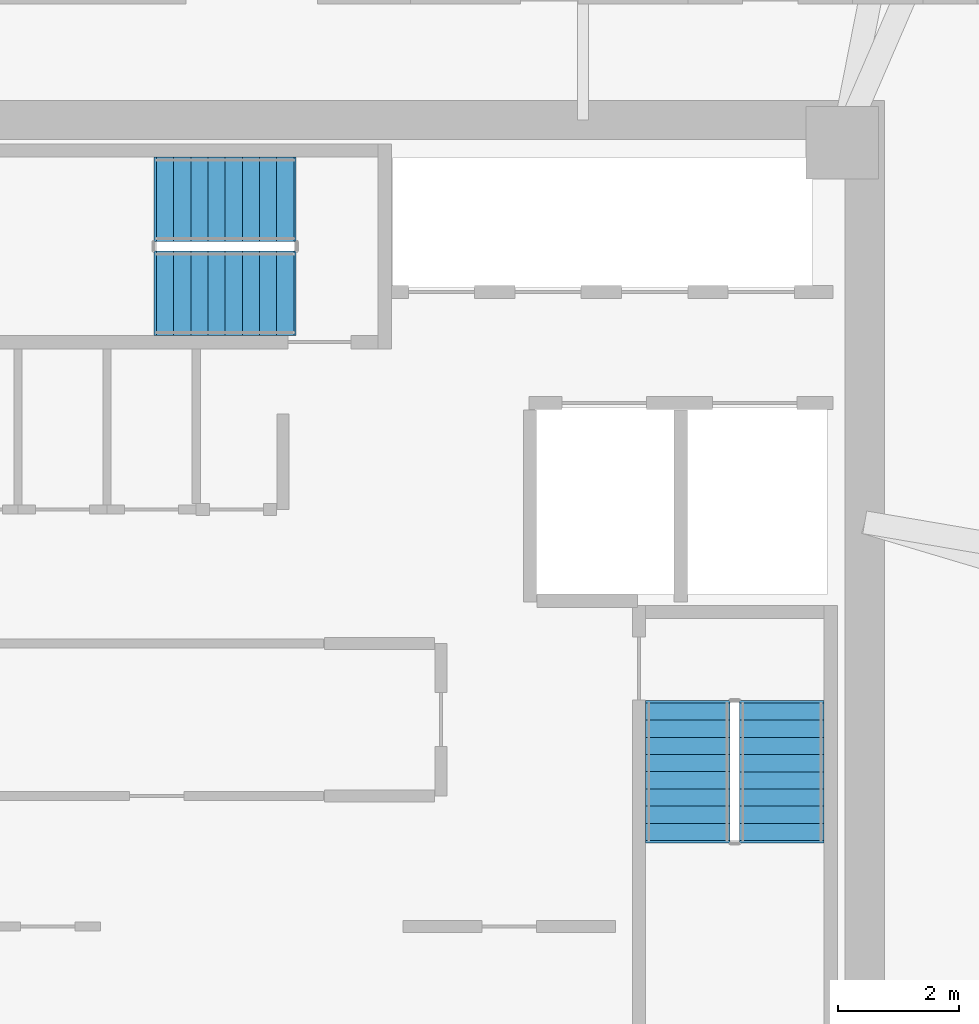
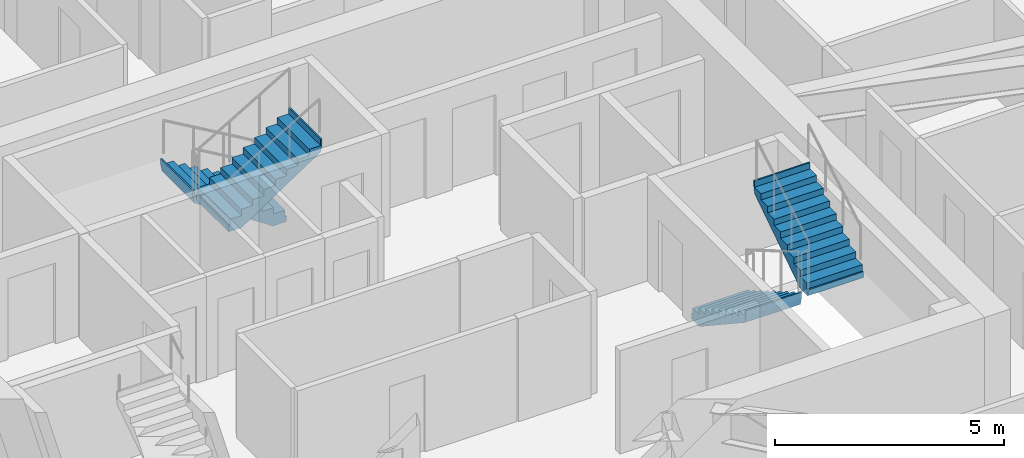
# One storey, part 14 of 15: 4 stair flights, 2 elements without a shape of their own.
"""IFC4 building model written with IfcOpenShell, lengths in metres."""

from ifc_helpers import new_model, si_unit, direction, frame, origin, place, context, subcontext, project, spatial, polyline, outline, extrude, material, type_object, element, aggregate, save


model = new_model("IFC4")

# Units and contexts
model_context = context("Model", 3, precision=1e-05, world=origin(), true_north=direction((0.0, 1.0)))
body_context = subcontext(model_context, "Body", "Model", "MODEL_VIEW")
ifc_project = project(units=[si_unit("LENGTHUNIT", "METRE"), si_unit("AREAUNIT", "SQUARE_METRE"), si_unit("VOLUMEUNIT", "CUBIC_METRE"), si_unit("PLANEANGLEUNIT", "RADIAN"), si_unit("MASSUNIT", "GRAM", prefix="KILO")], contexts=[model_context])

# Site, building, storey
site_placement = place(None, origin())
site = spatial("IfcSite", under=ifc_project, at=site_placement, CompositionType="ELEMENT")
building_placement = place(site_placement, origin())
building = spatial("IfcBuilding", under=site, at=building_placement, Name="Durnholm Broadcast Tower", CompositionType="ELEMENT")
storey_placement = place(building_placement, frame((0.0, 0.0, 206.199951171875)))
storey = spatial("IfcBuildingStorey", under=building, at=storey_placement, Name="L57", CompositionType="ELEMENT", Elevation=206.199951171875)

# Stair, stair flights
ifc_material = material(Name="Concrete C50/60", Category="concrete")
stair_type = type_object("IfcStairType", Name="STAIR-DL-18R1667", PredefinedType="HALF_TURN_STAIR", material=ifc_material)
stair_1_placement = place(storey_placement, origin())
stair_1 = element("IfcStair", 1, at=stair_1_placement, inside=storey, type_object=stair_type, Name="L57 ST-2", PredefinedType="HALF_TURN_STAIR")
stair_flight_type = type_object("IfcStairFlightType", Name="FLIGHT-DL-18R1667", PredefinedType="STRAIGHT", material=ifc_material)
stair_flight_1_placement = place(storey_placement, frame((7.239990234375, -1.5, 0.0), z_axis=(0.0, 0.0, 1.0), x_axis=(0.0, -1.0, 0.0)))
stair_flight_1 = element("IfcStairFlight", 2, at=stair_flight_1_placement, type_object=stair_flight_type, Name="ST-2 flight 1", NumberOfRisers=9, NumberOfTreads=8, PredefinedType="STRAIGHT", RiserHeight=0.166666667, TreadLength=0.285, context=body_context, shape_type="SweptSolid", body=[
    extrude(outline(polyline([(-0.0400390625, -0.14990234375), (-0.0400390625, 0.0), (0.0, 0.0), (0.0, 0.166748046875), (0.284912109375, 0.166748046875), (0.284912109375, 0.333251953125), (0.570068359375, 0.333251953125), (0.570068359375, 0.5), (0.85498046875, 0.5), (0.85498046875, 0.666748046875), (1.139892578125, 0.666748046875), (1.139892578125, 0.833251953125), (1.425048828125, 0.833251953125), (1.425048828125, 1.0), (1.7099609375, 1.0), (1.7099609375, 1.166748046875), (1.9951171875, 1.166748046875), (1.9951171875, 1.333251953125), (2.280029296875, 1.333251953125), (2.280029296875, 1.5), (2.320068359375, 1.5), (2.320068359375, 1.35009765625), (2.280029296875, 1.15966796875), (0.296875, -0.14990234375), (-0.0400390625, -0.14990234375)])), frame((0.0, 0.699951171875, 0.0), z_axis=(0.0, -1.0, 0.0), x_axis=(1.0, 0.0, 0.0)), (0.0, 0.0, 1.0), 1.39990234375),
])
stair_flight_2_placement = place(storey_placement, frame((8.800048828125, -3.780029296875, 1.5), z_axis=(0.0, 0.0, 1.0), x_axis=(0.0, 1.0, 0.0)))
stair_flight_2 = element("IfcStairFlight", 3, at=stair_flight_2_placement, type_object=stair_flight_type, Name="ST-2 flight 2", NumberOfRisers=9, NumberOfTreads=8, PredefinedType="STRAIGHT", RiserHeight=0.166666667, TreadLength=0.285, context=body_context, shape_type="SweptSolid", body=[
    extrude(outline(polyline([(-0.0400390625, -0.14990234375), (-0.0400390625, 0.0), (0.0, 0.0), (0.0, 0.166748046875), (0.284912109375, 0.166748046875), (0.284912109375, 0.333251953125), (0.570068359375, 0.333251953125), (0.570068359375, 0.5), (0.85498046875, 0.5), (0.85498046875, 0.666748046875), (1.139892578125, 0.666748046875), (1.139892578125, 0.833251953125), (1.425048828125, 0.833251953125), (1.425048828125, 1.0), (1.7099609375, 1.0), (1.7099609375, 1.166748046875), (1.9951171875, 1.166748046875), (1.9951171875, 1.333251953125), (2.280029296875, 1.333251953125), (2.280029296875, 1.5), (2.320068359375, 1.5), (2.320068359375, 1.35009765625), (2.280029296875, 1.15966796875), (0.296875, -0.14990234375), (-0.0400390625, -0.14990234375)])), frame((0.0, 0.699951171875, 0.0), z_axis=(0.0, -1.0, 0.0), x_axis=(1.0, 0.0, 0.0)), (0.0, 0.0, 1.0), 1.39990234375),
])
aggregate(stair_1, [stair_flight_1, stair_flight_2])

stair_2_placement = place(storey_placement, origin())
stair_2 = element("IfcStair", 4, at=stair_2_placement, inside=storey, type_object=stair_type, Name="L57 ST-3", PredefinedType="HALF_TURN_STAIR")
stair_flight_3_placement = place(storey_placement, frame((0.699951171875, 6.860107421875, 0.0), z_axis=(0.0, 0.0, 1.0), x_axis=(-1.0, 0.0, 0.0)))
stair_flight_3 = element("IfcStairFlight", 5, at=stair_flight_3_placement, type_object=stair_flight_type, Name="ST-3 flight 1", NumberOfRisers=9, NumberOfTreads=8, PredefinedType="STRAIGHT", RiserHeight=0.166666667, TreadLength=0.285, context=body_context, shape_type="SweptSolid", body=[
    extrude(outline(polyline([(-0.0400390625, -0.14990234375), (-0.0400390625, 0.0), (0.0, 0.0), (0.0, 0.166748046875), (0.284912109375, 0.166748046875), (0.284912109375, 0.333251953125), (0.570068359375, 0.333251953125), (0.570068359375, 0.5), (0.85498046875, 0.5), (0.85498046875, 0.666748046875), (1.139892578125, 0.666748046875), (1.139892578125, 0.833251953125), (1.425048828125, 0.833251953125), (1.425048828125, 1.0), (1.7099609375, 1.0), (1.7099609375, 1.166748046875), (1.9951171875, 1.166748046875), (1.9951171875, 1.333251953125), (2.280029296875, 1.333251953125), (2.280029296875, 1.5), (2.320068359375, 1.5), (2.320068359375, 1.35009765625), (2.280029296875, 1.15966796875), (0.296875, -0.14990234375), (-0.0400390625, -0.14990234375)])), frame((0.0, 0.699951171875, 0.0), z_axis=(0.0, -1.0, 0.0), x_axis=(1.0, 0.0, 0.0)), (0.0, 0.0, 1.0), 1.39990234375),
])
stair_flight_4_placement = place(storey_placement, frame((-1.580078125, 5.300048828125, 1.5), z_axis=(0.0, 0.0, 1.0), x_axis=(1.0, 0.0, 0.0)))
stair_flight_4 = element("IfcStairFlight", 6, at=stair_flight_4_placement, type_object=stair_flight_type, Name="ST-3 flight 2", NumberOfRisers=9, NumberOfTreads=8, PredefinedType="STRAIGHT", RiserHeight=0.166666667, TreadLength=0.285, context=body_context, shape_type="SweptSolid", body=[
    extrude(outline(polyline([(-0.0400390625, -0.14990234375), (-0.0400390625, 0.0), (0.0, 0.0), (0.0, 0.166748046875), (0.284912109375, 0.166748046875), (0.284912109375, 0.333251953125), (0.570068359375, 0.333251953125), (0.570068359375, 0.5), (0.85498046875, 0.5), (0.85498046875, 0.666748046875), (1.139892578125, 0.666748046875), (1.139892578125, 0.833251953125), (1.425048828125, 0.833251953125), (1.425048828125, 1.0), (1.7099609375, 1.0), (1.7099609375, 1.166748046875), (1.9951171875, 1.166748046875), (1.9951171875, 1.333251953125), (2.280029296875, 1.333251953125), (2.280029296875, 1.5), (2.320068359375, 1.5), (2.320068359375, 1.35009765625), (2.280029296875, 1.15966796875), (0.296875, -0.14990234375), (-0.0400390625, -0.14990234375)])), frame((0.0, 0.699951171875, 0.0), z_axis=(0.0, -1.0, 0.0), x_axis=(1.0, 0.0, 0.0)), (0.0, 0.0, 1.0), 1.39990234375),
])
aggregate(stair_2, [stair_flight_3, stair_flight_4])

save(model, "model.ifc")
